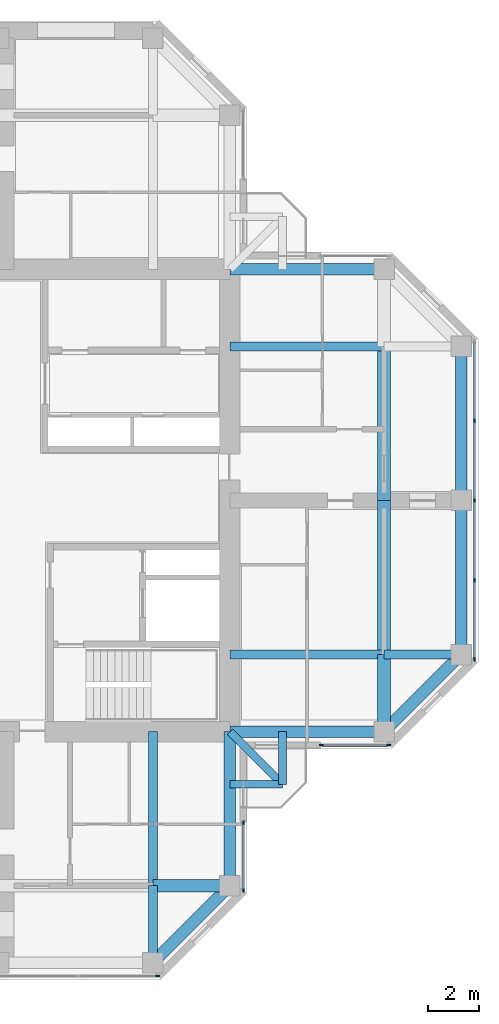
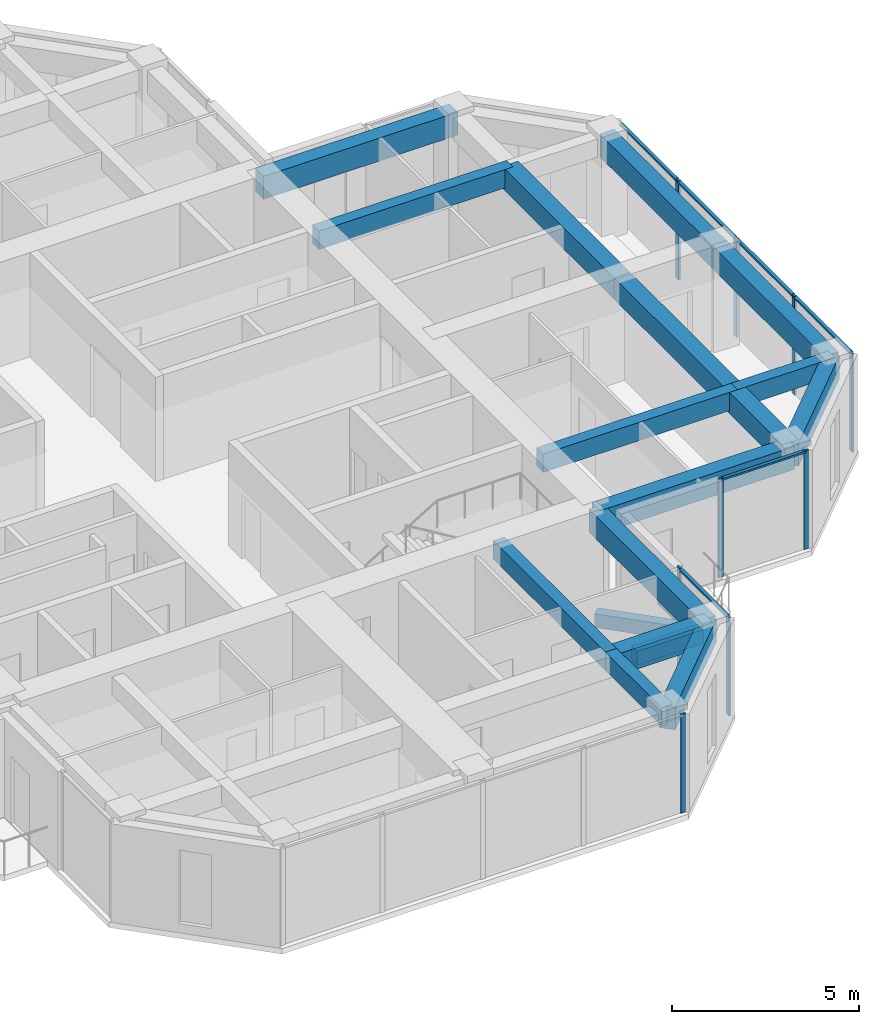
# One storey, part 5 of 13: 19 beams, 15 members, 4 elements without a shape of their own.
"""IFC4 building model written with IfcOpenShell, lengths in metres."""

from ifc_helpers import new_model, si_unit, direction, frame, origin, origin_2d, place, context, subcontext, project, spatial, rectangle, extrude, material, material_profile, profile_set, type_object, element, aggregate, save


model = new_model("IFC4")

# Units and contexts
model_context = context("Model", 3, precision=1e-05, world=origin(), true_north=direction((0.0, 1.0)))
body_context = subcontext(model_context, "Body", "Model", "MODEL_VIEW")
ifc_project = project(units=[si_unit("LENGTHUNIT", "METRE"), si_unit("AREAUNIT", "SQUARE_METRE"), si_unit("VOLUMEUNIT", "CUBIC_METRE"), si_unit("PLANEANGLEUNIT", "RADIAN"), si_unit("MASSUNIT", "GRAM", prefix="KILO")], contexts=[model_context])

# Site, building, storey
site_placement = place(None, origin())
site = spatial("IfcSite", under=ifc_project, at=site_placement, CompositionType="ELEMENT")
building_placement = place(site_placement, origin())
building = spatial("IfcBuilding", under=site, at=building_placement, Name="Torre Cruceta", CompositionType="ELEMENT")
storey_placement = place(building_placement, frame((0.0, 0.0, 235.699951171875)))
storey = spatial("IfcBuildingStorey", under=building, at=storey_placement, Name="L60", CompositionType="ELEMENT", Elevation=235.699951171875)

# Beams
ifc_material_1 = material(Name="Concrete G60 (fck 60 MPa)", Category="concrete")
ifc_material_profile_1 = material_profile(ifc_material_1, rectangle(XDim=0.300048828125, YDim=0.449951171875, at=origin_2d()), Name="RC 300X450")
ifc_profile_set_1 = profile_set([ifc_material_profile_1], Name="Concrete G60 (fck 60 MPa)")
beam_type_1 = type_object("IfcBeamType", Name="BALCONY CANTILEVER BEAM RC 300X450", PredefinedType="BEAM", material=ifc_profile_set_1)
beam_1_placement = place(storey_placement, frame((9.0, -9.0, -0.405029296875), z_axis=(0.707106781187, -0.707106781187, 0.0), x_axis=(0.707106781187, 0.707106781187, 0.0)))
element("IfcBeam", 1, at=beam_1_placement, inside=storey, type_object=beam_type_1, Name="BB1 balcony beam L60 S", PredefinedType="BEAM", context=body_context, shape_type="SweptSolid", body=[
    extrude(rectangle(XDim=0.300048828125, YDim=0.449951171875, at=origin_2d()), origin(), (0.0, 0.0, 1.0), 2.89990234375),
])
for number, where, z_axis, x_axis, name in (
    (2, (11.050537109375, -9.0, -0.405029296875), (0.0, -1.0, 0.0), (1.0, 0.0, 0.0), "BB1 balcony edge beam L60 S-X"),
    (3, (9.0, -11.050537109375, -0.405029296875), (1.0, 0.0, 0.0), (0.0, 1.0, 0.0), "BB1 balcony edge beam L60 S-Y"),
):
    element("IfcBeam", number, at=place(storey_placement, frame(where, z_axis=z_axis, x_axis=x_axis)), inside=storey, type_object=beam_type_1, Name=name, PredefinedType="BEAM", context=body_context, shape_type="SweptSolid", body=[
        extrude(rectangle(XDim=0.300048828125, YDim=0.449951171875, at=origin_2d()), origin(), (0.0, 0.0, 1.0), 2.050537109375),
    ])
ifc_material_2 = material(Name="Concrete G60 (fck 60 MPa)", Category="concrete")
ifc_material_profile_2 = material_profile(ifc_material_2, rectangle(XDim=0.35009765625, YDim=0.60009765625, at=origin_2d()), Name="RC 350X600")
ifc_profile_set_2 = profile_set([ifc_material_profile_2], Name="Concrete G60 (fck 60 MPa)")
beam_type_2 = type_object("IfcBeamType", Name="COLUMN LINE BEAM RC 350X600", PredefinedType="BEAM", material=ifc_profile_set_2)
beam_2_placement = place(storey_placement, frame((9.0, -6.0, 2.920166015625), z_axis=(1.0, 0.0, 0.0), x_axis=(0.0, 1.0, 0.0)))
element("IfcBeam", 4, at=beam_2_placement, inside=storey, type_object=beam_type_2, Name="LB9 L60 E col- 1", PredefinedType="BEAM", context=body_context, shape_type="SweptSolid", body=[
    extrude(rectangle(XDim=0.35009765625, YDim=0.60009765625, at=origin_2d()), origin(), (0.0, 0.0, 1.0), 6.0),
])
beam_3_placement = place(storey_placement, frame((15.0, -6.0, 2.920166015625), z_axis=(1.0, 0.0, 0.0), x_axis=(0.0, 1.0, 0.0)))
element("IfcBeam", 5, at=beam_3_placement, inside=storey, type_object=beam_type_2, Name="LB9 L60 E col- 2", PredefinedType="BEAM", context=body_context, shape_type="SweptSolid", body=[
    extrude(rectangle(XDim=0.35009765625, YDim=0.60009765625, at=origin_2d()), origin(), (0.0, 0.0, 1.0), 3.0),
])
for number, where, z_axis, x_axis, name in (
    (6, (9.0, 6.0, 2.920166015625), (1.0, 0.0, 0.0), (0.0, 1.0, 0.0), "LB9 L60 E col+ 1"),
    (7, (6.0, -9.0, 2.920166015625), (0.0, -1.0, 0.0), (1.0, 0.0, 0.0), "LB9 L60 S col+ 1"),
):
    element("IfcBeam", number, at=place(storey_placement, frame(where, z_axis=z_axis, x_axis=x_axis)), inside=storey, type_object=beam_type_2, Name=name, PredefinedType="BEAM", context=body_context, shape_type="SweptSolid", body=[
        extrude(rectangle(XDim=0.35009765625, YDim=0.60009765625, at=origin_2d()), origin(), (0.0, 0.0, 1.0), 6.0),
    ])
beam_4_placement = place(storey_placement, frame((6.0, -15.0, 2.920166015625), z_axis=(0.0, -1.0, 0.0), x_axis=(1.0, 0.0, 0.0)))
element("IfcBeam", 8, at=beam_4_placement, inside=storey, type_object=beam_type_2, Name="LB9 L60 S col+ 2", PredefinedType="BEAM", context=body_context, shape_type="SweptSolid", body=[
    extrude(rectangle(XDim=0.35009765625, YDim=0.60009765625, at=origin_2d()), origin(), (0.0, 0.0, 1.0), 3.0),
])
ifc_material_3 = material(Name="Concrete G60 (fck 60 MPa)", Category="concrete")
ifc_material_profile_3 = material_profile(ifc_material_3, rectangle(XDim=0.5, YDim=0.699951171875, at=origin_2d()), Name="RC 500X700")
ifc_profile_set_3 = profile_set([ifc_material_profile_3], Name="Concrete G60 (fck 60 MPa)")
beam_type_3 = type_object("IfcBeamType", Name="CROSS BEAM RC 500X700", PredefinedType="BEAM", material=ifc_profile_set_3)
beam_5_placement = place(storey_placement, frame((15.0, -9.0, 2.8701171875), z_axis=(0.0, 1.0, 0.0), x_axis=(-1.0, 0.0, 0.0)))
element("IfcBeam", 9, at=beam_5_placement, inside=storey, type_object=beam_type_3, Name="GB7 L60 E cross15 1", PredefinedType="BEAM", context=body_context, shape_type="SweptSolid", body=[
    extrude(rectangle(XDim=0.5, YDim=0.699951171875, at=origin_2d()), origin(), (0.0, 0.0, 1.0), 3.0),
])
for number, where, z_axis, x_axis, name in (
    (10, (15.0, -6.0, 2.8701171875), (0.0, 1.0, 0.0), (-1.0, 0.0, 0.0), "GB7 L60 E cross15 2"),
    (11, (15.0, 0.0, 2.8701171875), (0.0, 1.0, 0.0), (-1.0, 0.0, 0.0), "GB7 L60 E cross15 3"),
):
    element("IfcBeam", number, at=place(storey_placement, frame(where, z_axis=z_axis, x_axis=x_axis)), inside=storey, type_object=beam_type_3, Name=name, PredefinedType="BEAM", context=body_context, shape_type="SweptSolid", body=[
        extrude(rectangle(XDim=0.5, YDim=0.699951171875, at=origin_2d()), origin(), (0.0, 0.0, 1.0), 6.0),
    ])
beam_6_placement = place(storey_placement, frame((6.0, -15.0, 2.8701171875), z_axis=(1.0, 0.0, 0.0), x_axis=(0.0, 1.0, 0.0)))
element("IfcBeam", 12, at=beam_6_placement, inside=storey, type_object=beam_type_3, Name="GB7 L60 S cross15 4", PredefinedType="BEAM", context=body_context, shape_type="SweptSolid", body=[
    extrude(rectangle(XDim=0.5, YDim=0.699951171875, at=origin_2d()), origin(), (0.0, 0.0, 1.0), 3.0),
])

# Curtain wall, members
ifc_material_4 = material(Name="Aluminium unitised curtain wall", Category="aluminium")
curtain_wall_type = type_object("IfcCurtainWallType", Name="CURTAIN WALL CW-D CO-LIVING UPPER", PredefinedType="USERDEFINED", material=ifc_material_4)
curtain_wall_1_placement = place(storey_placement, origin())
curtain_wall_1 = element("IfcCurtainWall", 13, at=curtain_wall_1_placement, inside=storey, type_object=curtain_wall_type, Name="CW-D L60 E side 00", ObjectType="UNITISED", PredefinedType="USERDEFINED")
ifc_material_5 = material(Name="Aluminium mullion", Category="aluminium")
ifc_material_profile_4 = material_profile(ifc_material_5, rectangle(XDim=0.06005859375, YDim=0.14990234375, at=origin_2d()), Name="AL 60X150")
ifc_profile_set_4 = profile_set([ifc_material_profile_4], Name="Aluminium mullion")
member_type_1 = type_object("IfcMemberType", Name="CW-D MULLION 60X150", PredefinedType="MULLION", material=ifc_profile_set_4)
member_1_placement = place(storey_placement, frame((12.550048828125, -9.52001953125, 0.0), z_axis=(0.0, 0.0, 1.0), x_axis=(0.0, 1.0, 0.0)))
member_1 = element("IfcMember", 14, at=member_1_placement, type_object=member_type_1, Name="CW-D mullion 1", PredefinedType="MULLION", context=body_context, shape_type="SweptSolid", body=[
    extrude(rectangle(XDim=0.06005859375, YDim=0.14990234375, at=origin_2d()), origin(), (0.0, 0.0, 1.0), 3.219970703125),
])
member_2_placement = place(storey_placement, frame((15.185302734375, -9.52001953125, 0.0), z_axis=(0.0, 0.0, 1.0), x_axis=(0.0, 1.0, 0.0)))
member_2 = element("IfcMember", 15, at=member_2_placement, type_object=member_type_1, Name="CW-D mullion 2", PredefinedType="MULLION", context=body_context, shape_type="SweptSolid", body=[
    extrude(rectangle(XDim=0.06005859375, YDim=0.14990234375, at=origin_2d()), origin(), (0.0, 0.0, 1.0), 3.219970703125),
])

curtain_wall_2_placement = place(storey_placement, origin())
curtain_wall_2 = element("IfcCurtainWall", 16, at=curtain_wall_2_placement, inside=storey, type_object=curtain_wall_type, Name="CW-D L60 E tip 02", ObjectType="UNITISED", PredefinedType="USERDEFINED")
member_3_placement = place(storey_placement, frame((18.52001953125, -6.185302734375, 0.0), z_axis=(0.0, 0.0, 1.0), x_axis=(-1.0, 0.0, 0.0)))
member_3 = element("IfcMember", 17, at=member_3_placement, type_object=member_type_1, Name="CW-D mullion 1", PredefinedType="MULLION", context=body_context, shape_type="SweptSolid", body=[
    extrude(rectangle(XDim=0.06005859375, YDim=0.14990234375, at=origin_2d()), origin(), (0.0, 0.0, 1.0), 3.219970703125),
])
member_4_placement = place(storey_placement, frame((18.52001953125, -3.107666015625, 0.0), z_axis=(0.0, 0.0, 1.0), x_axis=(-1.0, 0.0, 0.0)))
member_4 = element("IfcMember", 18, at=member_4_placement, type_object=member_type_1, Name="CW-D mullion 2", PredefinedType="MULLION", context=body_context, shape_type="SweptSolid", body=[
    extrude(rectangle(XDim=0.06005859375, YDim=0.14990234375, at=origin_2d()), origin(), (0.0, 0.0, 1.0), 3.219970703125),
])
member_5_placement = place(storey_placement, frame((18.52001953125, 0.0, 0.0), z_axis=(0.0, 0.0, 1.0), x_axis=(-1.0, 0.0, 0.0)))
member_5 = element("IfcMember", 19, at=member_5_placement, type_object=member_type_1, Name="CW-D mullion 3", PredefinedType="MULLION", context=body_context, shape_type="SweptSolid", body=[
    extrude(rectangle(XDim=0.06005859375, YDim=0.14990234375, at=origin_2d()), origin(), (0.0, 0.0, 1.0), 3.219970703125),
])
member_6_placement = place(storey_placement, frame((18.52001953125, 3.107666015625, 0.0), z_axis=(0.0, 0.0, 1.0), x_axis=(-1.0, 0.0, 0.0)))
member_6 = element("IfcMember", 20, at=member_6_placement, type_object=member_type_1, Name="CW-D mullion 4", PredefinedType="MULLION", context=body_context, shape_type="SweptSolid", body=[
    extrude(rectangle(XDim=0.06005859375, YDim=0.14990234375, at=origin_2d()), origin(), (0.0, 0.0, 1.0), 3.219970703125),
])

# Curtain wall, member
curtain_wall_3_placement = place(storey_placement, origin())
curtain_wall_3 = element("IfcCurtainWall", 21, at=curtain_wall_3_placement, inside=storey, type_object=curtain_wall_type, Name="CW-D L60 S tip 17", ObjectType="UNITISED", PredefinedType="USERDEFINED")
member_7_placement = place(storey_placement, frame((6.185302734375, -18.52001953125, 0.0), z_axis=(0.0, 0.0, 1.0), x_axis=(0.0, 1.0, 0.0)))
member_7 = element("IfcMember", 22, at=member_7_placement, type_object=member_type_1, Name="CW-D mullion 5", PredefinedType="MULLION", context=body_context, shape_type="SweptSolid", body=[
    extrude(rectangle(XDim=0.06005859375, YDim=0.14990234375, at=origin_2d()), origin(), (0.0, 0.0, 1.0), 3.219970703125),
])
aggregate(curtain_wall_3, [member_7])

# Curtain wall, members
curtain_wall_4_placement = place(storey_placement, origin())
curtain_wall_4 = element("IfcCurtainWall", 23, at=curtain_wall_4_placement, inside=storey, type_object=curtain_wall_type, Name="CW-D L60 S side 19", ObjectType="UNITISED", PredefinedType="USERDEFINED")
member_8_placement = place(storey_placement, frame((9.52001953125, -15.185302734375, 0.0), z_axis=(0.0, 0.0, 1.0), x_axis=(-1.0, 0.0, 0.0)))
member_8 = element("IfcMember", 24, at=member_8_placement, type_object=member_type_1, Name="CW-D mullion 1", PredefinedType="MULLION", context=body_context, shape_type="SweptSolid", body=[
    extrude(rectangle(XDim=0.06005859375, YDim=0.14990234375, at=origin_2d()), origin(), (0.0, 0.0, 1.0), 3.219970703125),
])
member_9_placement = place(storey_placement, frame((9.52001953125, -12.550048828125, 0.0), z_axis=(0.0, 0.0, 1.0), x_axis=(-1.0, 0.0, 0.0)))
member_9 = element("IfcMember", 25, at=member_9_placement, type_object=member_type_1, Name="CW-D mullion 2", PredefinedType="MULLION", context=body_context, shape_type="SweptSolid", body=[
    extrude(rectangle(XDim=0.06005859375, YDim=0.14990234375, at=origin_2d()), origin(), (0.0, 0.0, 1.0), 3.219970703125),
])

# Member
ifc_material_6 = material(Name="Aluminium transom", Category="aluminium")
ifc_material_profile_5 = material_profile(ifc_material_6, rectangle(XDim=0.10009765625, YDim=0.06005859375, at=origin_2d()), Name="AL 100X60")
ifc_profile_set_5 = profile_set([ifc_material_profile_5], Name="Aluminium transom")
member_type_2 = type_object("IfcMemberType", Name="CW-D TRANSOM 60X100", PredefinedType="USERDEFINED", material=ifc_profile_set_5)
member_10_placement = place(storey_placement, frame((12.580078125, -9.52001953125, 3.18994140625), z_axis=(1.0, 0.0, 0.0), x_axis=(0.0, 1.0, 0.0)))
member_10 = element("IfcMember", 26, at=member_10_placement, type_object=member_type_2, Name="CW-D transom 1", ObjectType="TRANSOM", PredefinedType="USERDEFINED", context=body_context, shape_type="SweptSolid", body=[
    extrude(rectangle(XDim=0.10009765625, YDim=0.06005859375, at=origin_2d()), origin(), (0.0, 0.0, 1.0), 2.5751953125),
])

aggregate(curtain_wall_1, [member_1, member_2, member_10])

member_11_placement = place(storey_placement, frame((18.52001953125, -6.1552734375, 3.18994140625), z_axis=(0.0, 1.0, 0.0), x_axis=(-1.0, 0.0, 0.0)))
member_11 = element("IfcMember", 27, at=member_11_placement, type_object=member_type_2, Name="CW-D transom 1", ObjectType="TRANSOM", PredefinedType="USERDEFINED", context=body_context, shape_type="SweptSolid", body=[
    extrude(rectangle(XDim=0.10009765625, YDim=0.06005859375, at=origin_2d()), origin(), (0.0, 0.0, 1.0), 3.017578125),
])

member_12_placement = place(storey_placement, frame((18.52001953125, -3.07763671875, 3.18994140625), z_axis=(0.0, 1.0, 0.0), x_axis=(-1.0, 0.0, 0.0)))
member_12 = element("IfcMember", 28, at=member_12_placement, type_object=member_type_2, Name="CW-D transom 2", ObjectType="TRANSOM", PredefinedType="USERDEFINED", context=body_context, shape_type="SweptSolid", body=[
    extrude(rectangle(XDim=0.10009765625, YDim=0.06005859375, at=origin_2d()), origin(), (0.0, 0.0, 1.0), 3.047607421875),
])

member_13_placement = place(storey_placement, frame((18.52001953125, 0.030029296875, 3.18994140625), z_axis=(0.0, 1.0, 0.0), x_axis=(-1.0, 0.0, 0.0)))
member_13 = element("IfcMember", 29, at=member_13_placement, type_object=member_type_2, Name="CW-D transom 3", ObjectType="TRANSOM", PredefinedType="USERDEFINED", context=body_context, shape_type="SweptSolid", body=[
    extrude(rectangle(XDim=0.10009765625, YDim=0.06005859375, at=origin_2d()), origin(), (0.0, 0.0, 1.0), 3.047607421875),
])

member_14_placement = place(storey_placement, frame((18.52001953125, 3.1376953125, 3.18994140625), z_axis=(0.0, 1.0, 0.0), x_axis=(-1.0, 0.0, 0.0)))
member_14 = element("IfcMember", 30, at=member_14_placement, type_object=member_type_2, Name="CW-D transom 4", ObjectType="TRANSOM", PredefinedType="USERDEFINED", context=body_context, shape_type="SweptSolid", body=[
    extrude(rectangle(XDim=0.10009765625, YDim=0.06005859375, at=origin_2d()), origin(), (0.0, 0.0, 1.0), 3.017578125),
])

aggregate(curtain_wall_2, [member_3, member_4, member_5, member_6, member_11, member_12, member_13, member_14])

member_15_placement = place(storey_placement, frame((9.52001953125, -15.1552734375, 3.18994140625), z_axis=(0.0, 1.0, 0.0), x_axis=(-1.0, 0.0, 0.0)))
member_15 = element("IfcMember", 31, at=member_15_placement, type_object=member_type_2, Name="CW-D transom 1", ObjectType="TRANSOM", PredefinedType="USERDEFINED", context=body_context, shape_type="SweptSolid", body=[
    extrude(rectangle(XDim=0.10009765625, YDim=0.06005859375, at=origin_2d()), origin(), (0.0, 0.0, 1.0), 2.5751953125),
])

aggregate(curtain_wall_4, [member_8, member_9, member_15])

# Beams
ifc_material_7 = material(Name="Concrete G60 (fck 60 MPa)", Category="concrete")
ifc_material_profile_6 = material_profile(ifc_material_7, rectangle(XDim=0.449951171875, YDim=0.75, at=origin_2d()), Name="RC 450X750")
ifc_profile_set_6 = profile_set([ifc_material_profile_6], Name="Concrete G60 (fck 60 MPa)")
beam_type_4 = type_object("IfcBeamType", Name="SPANDREL BEAM RC 450X750", PredefinedType="SPANDREL", material=ifc_profile_set_6)
beam_7_placement = place(storey_placement, frame((9.0, -9.0, 2.844970703125), z_axis=(1.0, 0.0, 0.0), x_axis=(0.0, 1.0, 0.0)))
element("IfcBeam", 32, at=beam_7_placement, inside=storey, type_object=beam_type_4, Name="SB7 L60 E side- 1", PredefinedType="SPANDREL", context=body_context, shape_type="SweptSolid", body=[
    extrude(rectangle(XDim=0.449951171875, YDim=0.75, at=origin_2d()), origin(), (0.0, 0.0, 1.0), 6.0),
])
beam_8_placement = place(storey_placement, frame((15.0, -9.0, 2.844970703125), z_axis=(0.707106781187, 0.707106781187, 0.0), x_axis=(-0.707106781187, 0.707106781187, 0.0)))
element("IfcBeam", 33, at=beam_8_placement, inside=storey, type_object=beam_type_4, Name="SB7 L60 E side- 2", PredefinedType="SPANDREL", context=body_context, shape_type="SweptSolid", body=[
    extrude(rectangle(XDim=0.449951171875, YDim=0.75, at=origin_2d()), origin(), (0.0, 0.0, 1.0), 4.24267578125),
])
for number, where, z_axis, x_axis, name in (
    (34, (9.0, 9.0, 2.844970703125), (1.0, 0.0, 0.0), (0.0, 1.0, 0.0), "SB7 L60 E side+ 1"),
    (35, (18.0, -6.0, 2.844970703125), (0.0, 1.0, 0.0), (-1.0, 0.0, 0.0), "SB7 L60 E tip 1"),
    (36, (18.0, 0.0, 2.844970703125), (0.0, 1.0, 0.0), (-1.0, 0.0, 0.0), "SB7 L60 E tip 2"),
    (37, (9.0, -9.0, 2.844970703125), (0.0, -1.0, 0.0), (1.0, 0.0, 0.0), "SB7 L60 S side+ 1"),
):
    element("IfcBeam", number, at=place(storey_placement, frame(where, z_axis=z_axis, x_axis=x_axis)), inside=storey, type_object=beam_type_4, Name=name, PredefinedType="SPANDREL", context=body_context, shape_type="SweptSolid", body=[
        extrude(rectangle(XDim=0.449951171875, YDim=0.75, at=origin_2d()), origin(), (0.0, 0.0, 1.0), 6.0),
    ])
beam_9_placement = place(storey_placement, frame((9.0, -15.0, 2.844970703125), z_axis=(-0.707106781187, -0.707106781187, 0.0), x_axis=(0.707106781187, -0.707106781187, 0.0)))
element("IfcBeam", 38, at=beam_9_placement, inside=storey, type_object=beam_type_4, Name="SB7 L60 S side+ 2", PredefinedType="SPANDREL", context=body_context, shape_type="SweptSolid", body=[
    extrude(rectangle(XDim=0.449951171875, YDim=0.75, at=origin_2d()), origin(), (0.0, 0.0, 1.0), 4.24267578125),
])

save(model, "model.ifc")
